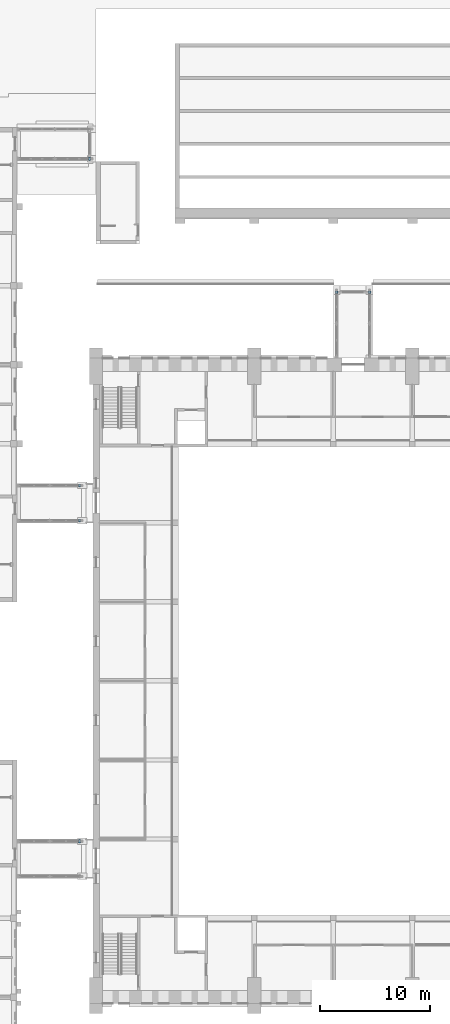
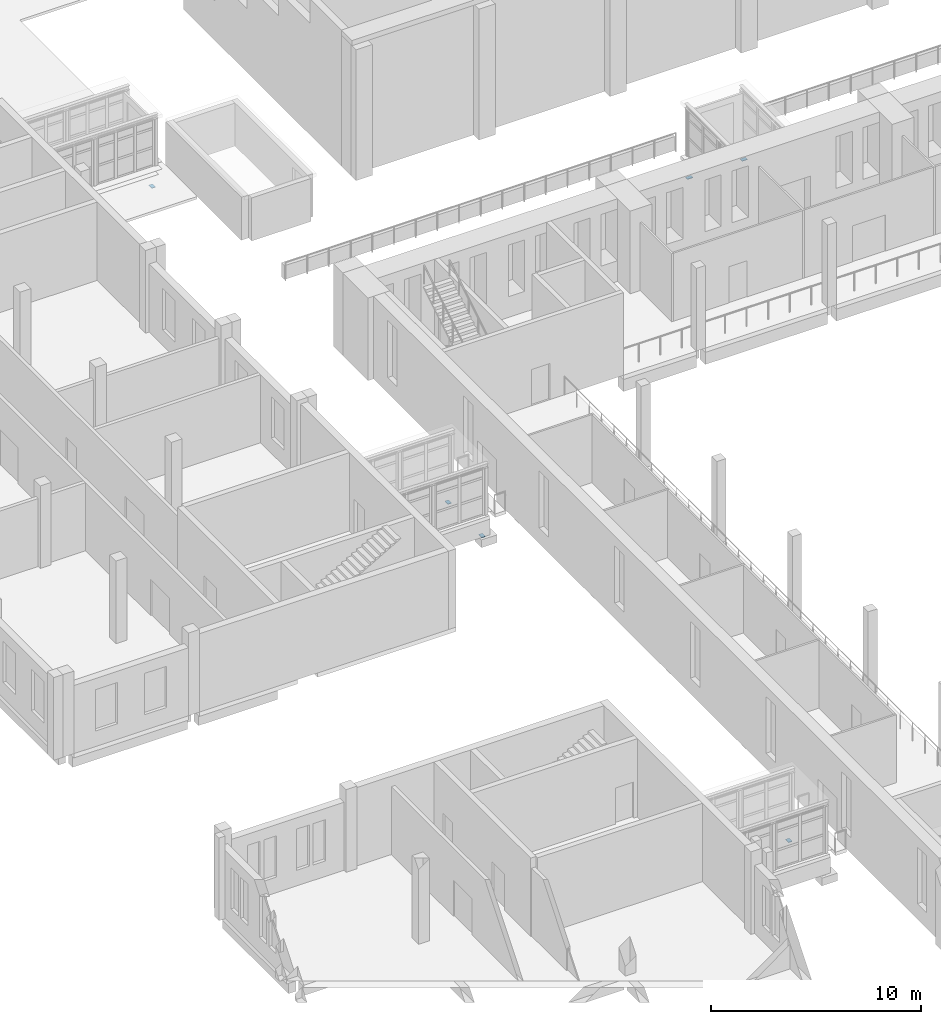
# One storey, part 107 of 131: 6 discrete accessories.
"""IFC4 building model written with IfcOpenShell, lengths in metres."""

from ifc_helpers import new_model, si_unit, direction, frame, origin, origin_2d, place, context, subcontext, project, spatial, rectangle, extrude, material, material_profile, profile_set, type_object, element, save


model = new_model("IFC4")

# Units and contexts
model_context = context("Model", 3, precision=1e-05, world=origin(), true_north=direction((0.0, 1.0)))
body_context = subcontext(model_context, "Body", "Model", "MODEL_VIEW")
ifc_project = project(units=[si_unit("LENGTHUNIT", "METRE"), si_unit("AREAUNIT", "SQUARE_METRE"), si_unit("VOLUMEUNIT", "CUBIC_METRE"), si_unit("PLANEANGLEUNIT", "RADIAN"), si_unit("MASSUNIT", "GRAM", prefix="KILO")], contexts=[model_context])

# Site, building, storey
site_placement = place(None, origin())
site = spatial("IfcSite", under=ifc_project, at=site_placement, CompositionType="ELEMENT")
building_placement = place(site_placement, origin())
building = spatial("IfcBuilding", under=site, at=building_placement, Name="Alderwick Market Hall", CompositionType="ELEMENT")
storey_placement = place(building_placement, frame((0.0, 0.0, 4.800048828125)))
storey = spatial("IfcBuildingStorey", under=building, at=storey_placement, Name="L00", CompositionType="ELEMENT", Elevation=4.800048828125)

# Discrete accessories
ifc_material = material(Name="PTFE-faced stainless steel sliding bearing on steel plate, ASTM A709 Grade 50", Category="steel")
ifc_material_profile = material_profile(ifc_material, rectangle(XDim=0.300048828125, YDim=0.030029296875, at=origin_2d()), Name="P Sliding Bearing 300x200x30")
ifc_profile_set = profile_set([ifc_material_profile], Name="PTFE-faced stainless steel sliding bearing on steel plate, ASTM A709 Grade 50")
discrete_accessory_type = type_object("IfcDiscreteAccessoryType", Name="P Sliding Bearing 300x200x30", PredefinedType="SHOE", material=ifc_profile_set)
for number, where, z_axis, x_axis, name in (
    (1, (72.300048828125, 114.5, -1.1650390625), (0.0, 1.0, 0.0), (-1.0, 0.0, 0.0), "Sliding bearing"),
    (2, (75.300048828125, 114.5, -1.1650390625), (0.0, 1.0, 0.0), (-1.0, 0.0, 0.0), "Sliding bearing"),
    (3, (48.800048828125, 93.800048828125, -1.1650390625), (1.0, 0.0, 0.0), (0.0, 1.0, 0.0), "Sliding bearing"),
    (4, (48.800048828125, 97.0, -1.1650390625), (1.0, 0.0, 0.0), (0.0, 1.0, 0.0), "Sliding bearing"),
    (5, (48.800048828125, 64.60009765625, -1.1650390625), (1.0, 0.0, 0.0), (0.0, 1.0, 0.0), "Sliding bearing"),
    (6, (49.699951171875, 126.75, -1.1650390625), (1.0, 0.0, 0.0), (0.0, 1.0, 0.0), "Sliding bearing"),
):
    element("IfcDiscreteAccessory", number, at=place(storey_placement, frame(where, z_axis=z_axis, x_axis=x_axis)), inside=storey, type_object=discrete_accessory_type, Name=name, PredefinedType="SHOE", context=body_context, shape_type="SweptSolid", body=[
        extrude(rectangle(XDim=0.300048828125, YDim=0.030029296875, at=origin_2d()), origin(), (0.0, 0.0, 1.0), 0.199951171875),
    ])

save(model, "model.ifc")
